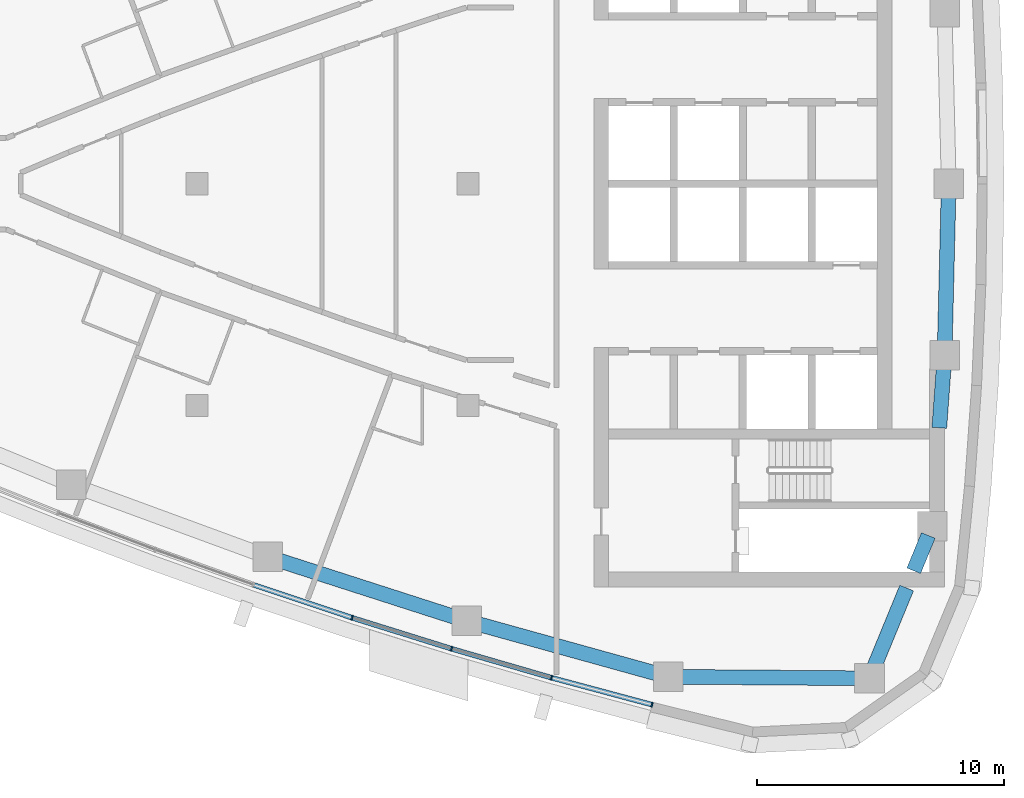
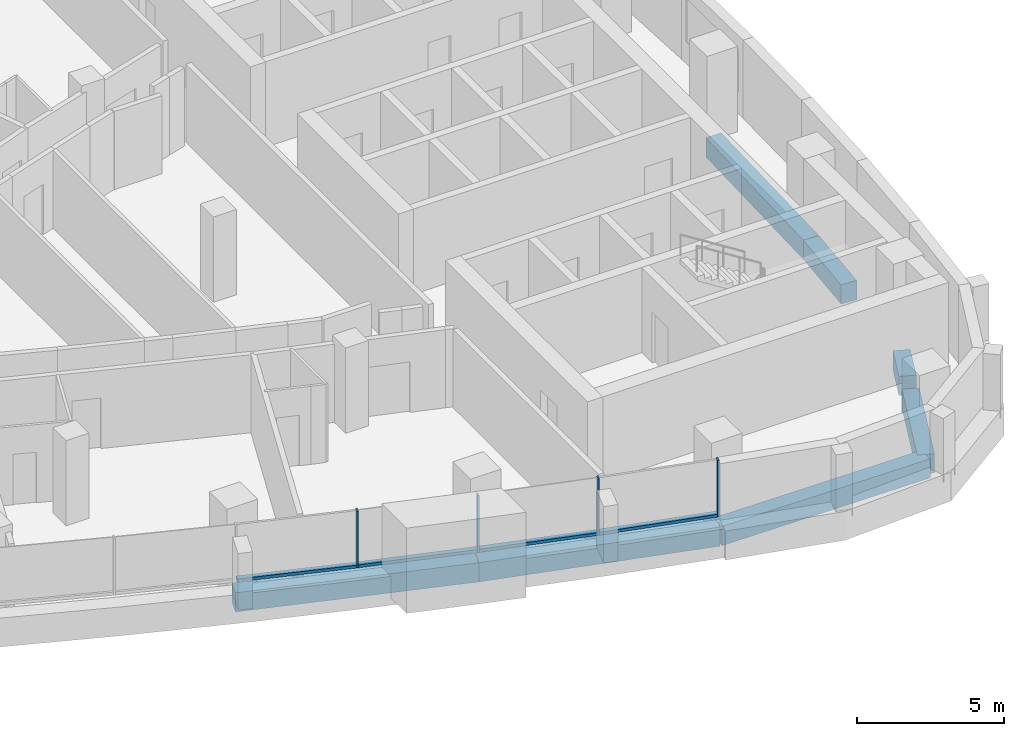
# One storey, part 4 of 15: 8 members, 7 beams, 2 elements without a shape of their own.
"""IFC4 building model written with IfcOpenShell, lengths in metres."""

from ifc_helpers import new_model, si_unit, direction, frame, origin, origin_2d, place, context, subcontext, project, spatial, rectangle, extrude, material, layer, layer_set, material_profile, profile_set, type_object, element, aggregate, save


model = new_model("IFC4")

# Units and contexts
model_context = context("Model", 3, precision=1e-05, world=origin(), true_north=direction((0.0, 1.0)))
body_context = subcontext(model_context, "Body", "Model", "MODEL_VIEW")
ifc_project = project(units=[si_unit("LENGTHUNIT", "METRE"), si_unit("AREAUNIT", "SQUARE_METRE"), si_unit("VOLUMEUNIT", "CUBIC_METRE"), si_unit("PLANEANGLEUNIT", "RADIAN"), si_unit("MASSUNIT", "GRAM", prefix="KILO")], contexts=[model_context])

# Site, building, storey
site_placement = place(None, origin())
site = spatial("IfcSite", under=ifc_project, at=site_placement, CompositionType="ELEMENT")
building_placement = place(site_placement, origin())
building = spatial("IfcBuilding", under=site, at=building_placement, Name="Ostrand Prow Hotel Tower", CompositionType="ELEMENT")
storey_placement = place(building_placement, frame((0.0, 0.0, 231.449951171875)))
storey = spatial("IfcBuildingStorey", under=building, at=storey_placement, Name="L58", CompositionType="ELEMENT", Elevation=231.449951171875)

# Beams
ifc_material_1 = material(Name="Concrete C50/60", Category="concrete")
ifc_material_profile_1 = material_profile(ifc_material_1, rectangle(XDim=0.60009765625, YDim=0.800048828125, at=origin_2d()), Name="RC 600x800")
ifc_profile_set_1 = profile_set([ifc_material_profile_1], Name="Concrete C50/60")
beam_type = type_object("IfcBeamType", Name="Edge beam 600x800 C50/60", PredefinedType="SPANDREL", material=ifc_profile_set_1)
for number, where, z_axis, x_axis, name in (
    (1, (36.8671875, -15.131591796875, -0.699951171875), (0.95193933362, -0.306286638798, 0.0), (0.306286638798, 0.95193933362, 0.0), "Edge beam S4-S5"),
    (2, (44.94677734375, -17.731201171875, -0.699951171875), (0.963625802813, -0.267255144297, 0.0), (0.267255144297, 0.963625802813, 0.0), "Edge beam S5-S6"),
):
    element("IfcBeam", number, at=place(storey_placement, frame(where, z_axis=z_axis, x_axis=x_axis)), inside=storey, type_object=beam_type, Name=name, PredefinedType="SPANDREL", context=body_context, shape_type="SweptSolid", body=[
        extrude(rectangle(XDim=0.60009765625, YDim=0.800048828125, at=origin_2d()), origin(), (0.0, 0.0, 1.0), 8.487548828125),
    ])
beam_1_placement = place(storey_placement, frame((53.12548828125, -19.99951171875, -0.699951171875), z_axis=(0.999970657582, -0.007660546678, 0.0), x_axis=(0.007660546678, 0.999970657582, 0.0)))
element("IfcBeam", 3, at=beam_1_placement, inside=storey, type_object=beam_type, Name="Edge beam S6-SE", PredefinedType="SPANDREL", context=body_context, shape_type="SweptSolid", body=[
    extrude(rectangle(XDim=0.60009765625, YDim=0.800048828125, at=origin_2d()), origin(), (0.0, 0.0, 1.0), 8.15869140625),
])
beam_2_placement = place(storey_placement, frame((61.283935546875, -20.06201171875, -0.699951171875), z_axis=(0.380777709221, 0.924666608114, 0.0), x_axis=(-0.924666608114, 0.380777709221, 0.0)))
element("IfcBeam", 4, at=beam_2_placement, inside=storey, type_object=beam_type, Name="Edge beam SE-B1", PredefinedType="SPANDREL", context=body_context, shape_type="SweptSolid", body=[
    extrude(rectangle(XDim=0.60009765625, YDim=0.800048828125, at=origin_2d()), origin(), (0.0, 0.0, 1.0), 3.96044921875),
])
beam_3_placement = place(storey_placement, frame((63.080078125, -15.699951171875, -0.699951171875), z_axis=(0.380773585759, 0.924668306145, 0.0), x_axis=(-0.924668306145, 0.380773585759, 0.0)))
element("IfcBeam", 5, at=beam_3_placement, inside=storey, type_object=beam_type, Name="Edge beam SE-B1", PredefinedType="SPANDREL", context=body_context, shape_type="SweptSolid", body=[
    extrude(rectangle(XDim=0.60009765625, YDim=0.800048828125, at=origin_2d()), origin(), (0.0, 0.0, 1.0), 1.549072265625),
])
beam_4_placement = place(storey_placement, frame((64.11669921875, -9.89990234375, -0.699951171875), z_axis=(0.072691068771, 0.997354504938, 0.0), x_axis=(-0.997354504938, 0.072691068771, 0.0)))
element("IfcBeam", 6, at=beam_4_placement, inside=storey, type_object=beam_type, Name="Edge beam B1-B2", PredefinedType="SPANDREL", context=body_context, shape_type="SweptSolid", body=[
    extrude(rectangle(XDim=0.60009765625, YDim=0.800048828125, at=origin_2d()), origin(), (0.0, 0.0, 1.0), 2.95556640625),
])
beam_5_placement = place(storey_placement, frame((64.33154296875, -6.9521484375, -0.699951171875), z_axis=(0.024223820991, 0.999706560195, 0.0), x_axis=(-0.999706560195, 0.024223820991, 0.0)))
element("IfcBeam", 7, at=beam_5_placement, inside=storey, type_object=beam_type, Name="Edge beam B2-B3", PredefinedType="SPANDREL", context=body_context, shape_type="SweptSolid", body=[
    extrude(rectangle(XDim=0.60009765625, YDim=0.800048828125, at=origin_2d()), origin(), (0.0, 0.0, 1.0), 6.9541015625),
])

# Curtain wall, members
ifc_material_2 = material(Name="Insulated glass in bronze anodised frame", Category="glass")
ifc_layer = layer(ifc_material_2, 0.199951171875)
ifc_layer_set = layer_set([ifc_layer], Name="Insulated glass in bronze anodised frame")
curtain_wall_type = type_object("IfcCurtainWallType", Name="Strip curtain wall, fritted glass over bronze spandrel", PredefinedType="NOTDEFINED", material=ifc_layer_set)
curtain_wall_1_placement = place(storey_placement, origin())
curtain_wall_1 = element("IfcCurtainWall", 8, at=curtain_wall_1_placement, inside=storey, type_object=curtain_wall_type, Name="CW1 run CWS4", PredefinedType="NOTDEFINED")
ifc_material_3 = material(Name="Bronze anodised aluminium", Category="aluminium")
ifc_material_profile_2 = material_profile(ifc_material_3, rectangle(XDim=0.199951171875, YDim=0.06005859375, at=origin_2d()), Name="Mullion 60x200 bronze anodised aluminium")
ifc_profile_set_2 = profile_set([ifc_material_profile_2], Name="Bronze anodised aluminium")
member_type_1 = type_object("IfcMemberType", Name="Mullion 60x200 bronze anodised aluminium", PredefinedType="MULLION", material=ifc_profile_set_2)
member_1_placement = place(storey_placement, frame((40.297119140625, -17.605712890625, 0.900146484375), z_axis=(0.0, 0.0, 1.0), x_axis=(0.297678138765, 0.95466629023, 0.0)))
member_1 = element("IfcMember", 9, at=member_1_placement, type_object=member_type_1, Name="CW1 mullion 2", PredefinedType="MULLION", context=body_context, shape_type="SweptSolid", body=[
    extrude(rectangle(XDim=0.199951171875, YDim=0.06005859375, at=origin_2d()), origin(), (0.0, 0.0, 1.0), 2.349853515625),
])
member_2_placement = place(storey_placement, frame((44.3291015625, -18.863037109375, 0.900146484375), z_axis=(0.0, 0.0, 1.0), x_axis=(0.297678138765, 0.95466629023, 0.0)))
member_2 = element("IfcMember", 10, at=member_2_placement, type_object=member_type_1, Name="CW1 mullion 3", PredefinedType="MULLION", context=body_context, shape_type="SweptSolid", body=[
    extrude(rectangle(XDim=0.199951171875, YDim=0.06005859375, at=origin_2d()), origin(), (0.0, 0.0, 1.0), 2.349853515625),
])

curtain_wall_2_placement = place(storey_placement, origin())
curtain_wall_2 = element("IfcCurtainWall", 11, at=curtain_wall_2_placement, inside=storey, type_object=curtain_wall_type, Name="CW1 run CWS5", PredefinedType="NOTDEFINED")
member_3_placement = place(storey_placement, frame((48.385986328125, -20.038818359375, 0.900146484375), z_axis=(0.0, 0.0, 1.0), x_axis=(0.258994370132, 0.965878831034, 0.0)))
member_3 = element("IfcMember", 12, at=member_3_placement, type_object=member_type_1, Name="CW1 mullion 2", PredefinedType="MULLION", context=body_context, shape_type="SweptSolid", body=[
    extrude(rectangle(XDim=0.199951171875, YDim=0.06005859375, at=origin_2d()), origin(), (0.0, 0.0, 1.0), 2.349853515625),
])
member_4_placement = place(storey_placement, frame((52.465576171875, -21.1328125, 0.900146484375), z_axis=(0.0, 0.0, 1.0), x_axis=(0.258994370132, 0.965878831034, 0.0)))
member_4 = element("IfcMember", 13, at=member_4_placement, type_object=member_type_1, Name="CW1 mullion 3", PredefinedType="MULLION", context=body_context, shape_type="SweptSolid", body=[
    extrude(rectangle(XDim=0.199951171875, YDim=0.06005859375, at=origin_2d()), origin(), (0.0, 0.0, 1.0), 2.349853515625),
])

# Member
ifc_material_4 = material(Name="Bronze anodised aluminium", Category="aluminium")
ifc_material_profile_3 = material_profile(ifc_material_4, rectangle(XDim=0.199951171875, YDim=0.1201171875, at=origin_2d()), Name="Transom 120x200 bronze anodised aluminium")
ifc_profile_set_3 = profile_set([ifc_material_profile_3], Name="Bronze anodised aluminium")
member_type_2 = type_object("IfcMemberType", Name="Transom 120x200 bronze anodised aluminium", PredefinedType="USERDEFINED", material=ifc_profile_set_3)
member_5_placement = place(storey_placement, frame((36.3193359375, -16.277099609375, 0.9599609375), z_axis=(0.948489622939, -0.316808199353, 0.0), x_axis=(0.316808199353, 0.948489622939, 0.0)))
member_5 = element("IfcMember", 14, at=member_5_placement, type_object=member_type_2, Name="CW1 transom 1.1", ObjectType="TRANSOM", PredefinedType="USERDEFINED", context=body_context, shape_type="SweptSolid", body=[
    extrude(rectangle(XDim=0.199951171875, YDim=0.1201171875, at=origin_2d()), origin(), (0.0, 0.0, 1.0), 4.16357421875),
])

member_6_placement = place(storey_placement, frame((40.32568359375, -17.61474609375, 0.9599609375), z_axis=(0.954676966691, -0.297643896746, 0.0), x_axis=(0.297643896746, 0.954676966691, 0.0)))
member_6 = element("IfcMember", 15, at=member_6_placement, type_object=member_type_2, Name="CW1 transom 2.1", ObjectType="TRANSOM", PredefinedType="USERDEFINED", context=body_context, shape_type="SweptSolid", body=[
    extrude(rectangle(XDim=0.199951171875, YDim=0.1201171875, at=origin_2d()), origin(), (0.0, 0.0, 1.0), 4.16357421875),
])

aggregate(curtain_wall_1, [member_1, member_2, member_5, member_6])

member_7_placement = place(storey_placement, frame((44.35791015625, -18.871337890625, 0.9599609375), z_axis=(0.960468183791, -0.278389776976, 0.0), x_axis=(0.278389776976, 0.960468183791, 0.0)))
member_7 = element("IfcMember", 16, at=member_7_placement, type_object=member_type_2, Name="CW1 transom 1.1", ObjectType="TRANSOM", PredefinedType="USERDEFINED", context=body_context, shape_type="SweptSolid", body=[
    extrude(rectangle(XDim=0.199951171875, YDim=0.1201171875, at=origin_2d()), origin(), (0.0, 0.0, 1.0), 4.163818359375),
])

member_8_placement = place(storey_placement, frame((48.4150390625, -20.046630859375, 0.9599609375), z_axis=(0.96587683346, -0.259001819657, 0.0), x_axis=(0.259001819657, 0.96587683346, 0.0)))
member_8 = element("IfcMember", 17, at=member_8_placement, type_object=member_type_2, Name="CW1 transom 2.1", ObjectType="TRANSOM", PredefinedType="USERDEFINED", context=body_context, shape_type="SweptSolid", body=[
    extrude(rectangle(XDim=0.199951171875, YDim=0.1201171875, at=origin_2d()), origin(), (0.0, 0.0, 1.0), 4.16357421875),
])

aggregate(curtain_wall_2, [member_3, member_4, member_7, member_8])

save(model, "model.ifc")
